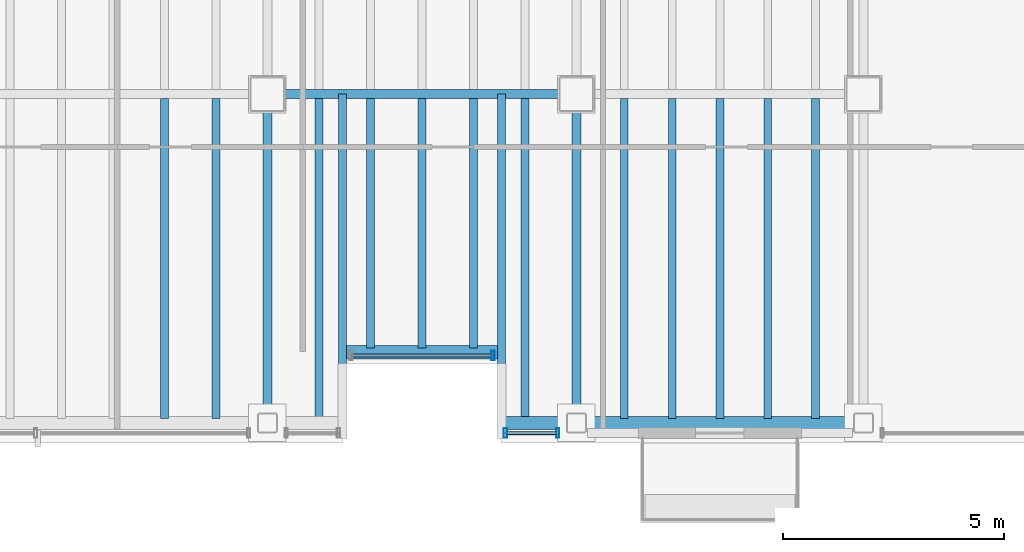
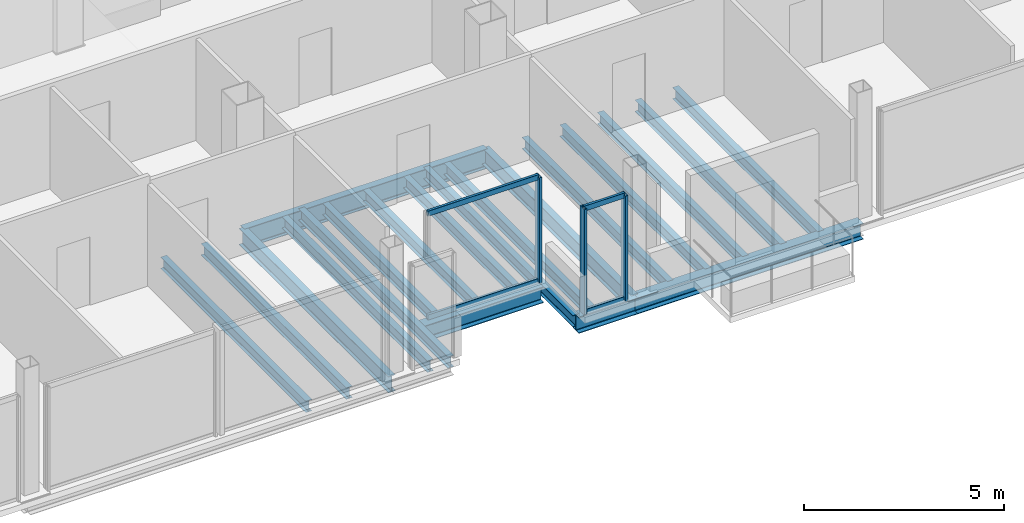
# One storey, part 6 of 17: 20 beams, 7 members, 2 elements without a shape of their own.
"""IFC4 building model written with IfcOpenShell, lengths in metres."""

from ifc_helpers import new_model, si_unit, direction, frame, origin, origin_2d, place, context, subcontext, project, spatial, hollow_rectangle, i_section, extrude, material, material_profile, profile_set, type_object, element, aggregate, save


model = new_model("IFC4")

# Units and contexts
model_context = context("Model", 3, precision=1e-05, world=origin(), true_north=direction((0.0, 1.0)))
body_context = subcontext(model_context, "Body", "Model", "MODEL_VIEW")
ifc_project = project(units=[si_unit("LENGTHUNIT", "METRE"), si_unit("AREAUNIT", "SQUARE_METRE"), si_unit("VOLUMEUNIT", "CUBIC_METRE"), si_unit("PLANEANGLEUNIT", "RADIAN"), si_unit("MASSUNIT", "GRAM", prefix="KILO")], contexts=[model_context])

# Site, building, storey
site_placement = place(None, origin())
site = spatial("IfcSite", under=ifc_project, at=site_placement, CompositionType="ELEMENT")
building_placement = place(site_placement, origin())
building = spatial("IfcBuilding", under=site, at=building_placement, Name="Noeulbin Bourse Tower", CompositionType="ELEMENT")
storey_placement = place(building_placement, frame((0.0, 0.0, 246.199951171875)))
storey = spatial("IfcBuildingStorey", under=building, at=storey_placement, Name="L61", CompositionType="ELEMENT", Elevation=246.199951171875)

# Beams
ifc_material_1 = material(Name="Steel S355", Category="steel")
ifc_material_profile_1 = material_profile(ifc_material_1, i_section(OverallWidth=0.199951171875, OverallDepth=0.5, WebThickness=0.010009765625, FlangeThickness=0.01611328125, FilletRadius=0.02001953125, at=origin_2d()), Name="H-500x200x10x16", Category="LoadBearing")
ifc_profile_set_1 = profile_set([ifc_material_profile_1], Name="Steel S355")
beam_type_1 = type_object("IfcBeamType", Name="BM-GRD-500", PredefinedType="USERDEFINED", material=ifc_profile_set_1)
for number, where, z_axis, x_axis, name in (
    (1, (24.0, 12.550048828125, -0.429931640625), (0.0, 1.0, 0.0), (-1.0, 0.0, 0.0), "Tower Primary Girder NS L61-2.1"),
    (2, (31.0, 12.550048828125, -0.429931640625), (0.0, 1.0, 0.0), (-1.0, 0.0, 0.0), "Tower Primary Girder NS L61-3.1"),
):
    element("IfcBeam", number, at=place(storey_placement, frame(where, z_axis=z_axis, x_axis=x_axis)), inside=storey, type_object=beam_type_1, Name=name, ObjectType="GIRDER", PredefinedType="USERDEFINED", context=body_context, shape_type="SweptSolid", body=[
        extrude(i_section(OverallWidth=0.199951171875, OverallDepth=0.5, WebThickness=0.010009765625, FlangeThickness=0.01611328125, FilletRadius=0.02001953125, at=origin_2d()), origin(), (0.0, 0.0, 1.0), 7.449951171875),
    ])
ifc_material_profile_2 = material_profile(ifc_material_1, i_section(OverallWidth=0.199951171875, OverallDepth=0.60009765625, WebThickness=0.010986328125, FlangeThickness=0.01708984375, FilletRadius=0.02197265625, at=origin_2d()), Name="H-600x200x11x17", Category="LoadBearing")
ifc_profile_set_2 = profile_set([ifc_material_profile_2], Name="Steel S355")
beam_type_2 = type_object("IfcBeamType", Name="BM-GRD-600", PredefinedType="USERDEFINED", material=ifc_profile_set_2)
beam_1_placement = place(storey_placement, frame((24.0, 20.0, -0.47998046875), z_axis=(1.0, 0.0, 0.0), x_axis=(0.0, 1.0, 0.0)))
element("IfcBeam", 3, at=beam_1_placement, inside=storey, type_object=beam_type_2, Name="Tower Primary Girder EW L61-1.3", ObjectType="GIRDER", PredefinedType="USERDEFINED", context=body_context, shape_type="SweptSolid", body=[
    extrude(i_section(OverallWidth=0.199951171875, OverallDepth=0.60009765625, WebThickness=0.010986328125, FlangeThickness=0.01708984375, FilletRadius=0.02197265625, at=origin_2d()), origin(), (0.0, 0.0, 1.0), 7.0),
])
ifc_material_profile_3 = material_profile(ifc_material_1, i_section(OverallWidth=0.175048828125, OverallDepth=0.35009765625, WebThickness=0.007080078125, FlangeThickness=0.010986328125, FilletRadius=0.013916015625, at=origin_2d()), Name="H-350x175x7x11", Category="LoadBearing")
ifc_profile_set_3 = profile_set([ifc_material_profile_3], Name="Steel S355")
beam_type_3 = type_object("IfcBeamType", Name="BM-JST-350", PredefinedType="JOIST", material=ifc_profile_set_3)
for number, where, z_axis, x_axis, name in (
    (4, (25.699951171875, 12.550048828125, -0.35498046875), (0.0, 1.0, 0.0), (-1.0, 0.0, 0.0), "BM-L61-SRT-W"),
    (5, (29.300048828125, 12.550048828125, -0.35498046875), (0.0, 1.0, 0.0), (-1.0, 0.0, 0.0), "BM-L61-SRT-E"),
):
    element("IfcBeam", number, at=place(storey_placement, frame(where, z_axis=z_axis, x_axis=x_axis)), inside=storey, type_object=beam_type_3, Name=name, PredefinedType="JOIST", context=body_context, shape_type="SweptSolid", body=[
        extrude(i_section(OverallWidth=0.175048828125, OverallDepth=0.35009765625, WebThickness=0.007080078125, FlangeThickness=0.010986328125, FilletRadius=0.013916015625, at=origin_2d()), origin(), (0.0, 0.0, 1.0), 7.449951171875),
    ])
for number, where, z_axis, x_axis, name in (
    (6, (21.666748046875, 12.64990234375, -0.35498046875), (0.0, 1.0, 0.0), (-1.0, 0.0, 0.0), "Tower Composite Joist L61-13"),
    (7, (22.833251953125, 12.64990234375, -0.35498046875), (0.0, 1.0, 0.0), (-1.0, 0.0, 0.0), "Tower Composite Joist L61-15"),
    (8, (25.166748046875, 12.64990234375, -0.35498046875), (0.0, 1.0, 0.0), (-1.0, 0.0, 0.0), "Tower Composite Joist L61-17"),
):
    element("IfcBeam", number, at=place(storey_placement, frame(where, z_axis=z_axis, x_axis=x_axis)), inside=storey, type_object=beam_type_3, Name=name, PredefinedType="JOIST", context=body_context, shape_type="SweptSolid", body=[
        extrude(i_section(OverallWidth=0.175048828125, OverallDepth=0.35009765625, WebThickness=0.007080078125, FlangeThickness=0.010986328125, FilletRadius=0.013916015625, at=origin_2d()), origin(), (0.0, 0.0, 1.0), 7.25),
    ])
for number, where, z_axis, x_axis, name in (
    (9, (26.333251953125, 14.25, -0.35498046875), (0.0, 1.0, 0.0), (-1.0, 0.0, 0.0), "Tower Composite Joist L61-19"),
    (10, (27.5, 14.25, -0.35498046875), (0.0, 1.0, 0.0), (-1.0, 0.0, 0.0), "Tower Composite Joist L61-21"),
    (11, (28.666748046875, 14.25, -0.35498046875), (0.0, 1.0, 0.0), (-1.0, 0.0, 0.0), "Tower Composite Joist L61-23"),
):
    element("IfcBeam", number, at=place(storey_placement, frame(where, z_axis=z_axis, x_axis=x_axis)), inside=storey, type_object=beam_type_3, Name=name, PredefinedType="JOIST", context=body_context, shape_type="SweptSolid", body=[
        extrude(i_section(OverallWidth=0.175048828125, OverallDepth=0.35009765625, WebThickness=0.007080078125, FlangeThickness=0.010986328125, FilletRadius=0.013916015625, at=origin_2d()), origin(), (0.0, 0.0, 1.0), 5.64990234375),
    ])
for number, where, z_axis, x_axis, name in (
    (12, (29.833251953125, 12.64990234375, -0.35498046875), (0.0, 1.0, 0.0), (-1.0, 0.0, 0.0), "Tower Composite Joist L61-25"),
    (13, (32.083251953125, 12.64990234375, -0.35498046875), (0.0, 1.0, 0.0), (-1.0, 0.0, 0.0), "Tower Composite Joist L61-27"),
    (14, (33.166748046875, 12.64990234375, -0.35498046875), (0.0, 1.0, 0.0), (-1.0, 0.0, 0.0), "Tower Composite Joist L61-29"),
    (15, (34.25, 12.64990234375, -0.35498046875), (0.0, 1.0, 0.0), (-1.0, 0.0, 0.0), "Tower Composite Joist L61-31"),
    (16, (35.333251953125, 12.64990234375, -0.35498046875), (0.0, 1.0, 0.0), (-1.0, 0.0, 0.0), "Tower Composite Joist L61-33"),
    (17, (36.416748046875, 12.64990234375, -0.35498046875), (0.0, 1.0, 0.0), (-1.0, 0.0, 0.0), "Tower Composite Joist L61-35"),
):
    element("IfcBeam", number, at=place(storey_placement, frame(where, z_axis=z_axis, x_axis=x_axis)), inside=storey, type_object=beam_type_3, Name=name, PredefinedType="JOIST", context=body_context, shape_type="SweptSolid", body=[
        extrude(i_section(OverallWidth=0.175048828125, OverallDepth=0.35009765625, WebThickness=0.007080078125, FlangeThickness=0.010986328125, FilletRadius=0.013916015625, at=origin_2d()), origin(), (0.0, 0.0, 1.0), 7.25),
    ])
ifc_material_profile_4 = material_profile(ifc_material_1, i_section(OverallWidth=0.300048828125, OverallDepth=0.488037109375, WebThickness=0.010986328125, FlangeThickness=0.01806640625, FilletRadius=0.02197265625, at=origin_2d()), Name="H-488x300x11x18", Category="LoadBearing")
ifc_profile_set_4 = profile_set([ifc_material_profile_4], Name="Steel S355")
beam_type_4 = type_object("IfcBeamType", Name="BM-SPN-488", PredefinedType="SPANDREL", material=ifc_profile_set_4)
beam_2_placement = place(storey_placement, frame((25.78759765625, 14.14990234375, -0.424072265625), z_axis=(1.0, 0.0, 0.0), x_axis=(0.0, 1.0, 0.0)))
element("IfcBeam", 18, at=beam_2_placement, inside=storey, type_object=beam_type_4, Name="South Recess Spandrel L61-2B", PredefinedType="SPANDREL", context=body_context, shape_type="SweptSolid", body=[
    extrude(i_section(OverallWidth=0.300048828125, OverallDepth=0.488037109375, WebThickness=0.010986328125, FlangeThickness=0.01806640625, FilletRadius=0.02197265625, at=origin_2d()), origin(), (0.0, 0.0, 1.0), 3.4248046875),
])
beam_3_placement = place(storey_placement, frame((29.300048828125, 12.550048828125, -0.424072265625), z_axis=(1.0, 0.0, 0.0), x_axis=(0.0, 1.0, 0.0)))
element("IfcBeam", 19, at=beam_3_placement, inside=storey, type_object=beam_type_4, Name="South Spandrel L61-2C", PredefinedType="SPANDREL", context=body_context, shape_type="SweptSolid", body=[
    extrude(i_section(OverallWidth=0.300048828125, OverallDepth=0.488037109375, WebThickness=0.010986328125, FlangeThickness=0.01806640625, FilletRadius=0.02197265625, at=origin_2d()), origin(), (0.0, 0.0, 1.0), 1.699951171875),
])
beam_4_placement = place(storey_placement, frame((31.0, 12.550048828125, -0.424072265625), z_axis=(1.0, 0.0, 0.0), x_axis=(0.0, 1.0, 0.0)))
element("IfcBeam", 20, at=beam_4_placement, inside=storey, type_object=beam_type_4, Name="South Spandrel L61-3", PredefinedType="SPANDREL", context=body_context, shape_type="SweptSolid", body=[
    extrude(i_section(OverallWidth=0.300048828125, OverallDepth=0.488037109375, WebThickness=0.010986328125, FlangeThickness=0.01806640625, FilletRadius=0.02197265625, at=origin_2d()), origin(), (0.0, 0.0, 1.0), 6.5),
])

# Curtain wall, member
ifc_material_2 = material(Name="High-Selectivity Low-Iron Glazing", Category="glass")
curtain_wall_type = type_object("IfcCurtainWallType", Name="CW-SYS-4", PredefinedType="NOTDEFINED", material=ifc_material_2)
curtain_wall_1_placement = place(storey_placement, origin())
curtain_wall_1 = element("IfcCurtainWall", 21, at=curtain_wall_1_placement, inside=storey, type_object=curtain_wall_type, Name="Unitised Curtain Wall CW-L61-SREC", PredefinedType="NOTDEFINED")
ifc_material_3 = material(Name="Anodised Aluminium 6063-T6", Category="aluminium")
ifc_material_profile_5 = material_profile(ifc_material_3, hollow_rectangle(XDim=0.074951171875, YDim=0.219970703125, WallThickness=0.0048828125, InnerFilletRadius=0.00244140625, OuterFilletRadius=0.0048828125, at=origin_2d()), Name="ALU-MULL-75x220x5", Category="LoadBearing")
ifc_profile_set_5 = profile_set([ifc_material_profile_5], Name="Anodised Aluminium 6063-T6")
member_type_1 = type_object("IfcMemberType", Name="CW-SYS-4-MUL", PredefinedType="MULLION", material=ifc_profile_set_5)
member_1_placement = place(storey_placement, frame((29.110107421875, 14.080078125, -0.02001953125), z_axis=(0.0, 0.0, 1.0), x_axis=(1.0, 0.0, 0.0)))
member_1 = element("IfcMember", 22, at=member_1_placement, type_object=member_type_1, Name="Curtain Wall Mullion CW-L61-SREC-M01", PredefinedType="MULLION", context=body_context, shape_type="SweptSolid", body=[
    extrude(hollow_rectangle(XDim=0.074951171875, YDim=0.219970703125, WallThickness=0.0048828125, InnerFilletRadius=0.00244140625, OuterFilletRadius=0.0048828125, at=origin_2d()), origin(), (0.0, 0.0, 1.0), 3.219970703125),
])

# Curtain wall, members
curtain_wall_2_placement = place(storey_placement, origin())
curtain_wall_2 = element("IfcCurtainWall", 23, at=curtain_wall_2_placement, inside=storey, type_object=curtain_wall_type, Name="Unitised Curtain Wall CW-L61-S2", PredefinedType="NOTDEFINED")
member_2_placement = place(storey_placement, frame((29.389892578125, 12.320068359375, -0.02001953125), z_axis=(0.0, 0.0, 1.0), x_axis=(1.0, 0.0, 0.0)))
member_2 = element("IfcMember", 24, at=member_2_placement, type_object=member_type_1, Name="Curtain Wall Mullion CW-L61-S2-M00", PredefinedType="MULLION", context=body_context, shape_type="SweptSolid", body=[
    extrude(hollow_rectangle(XDim=0.074951171875, YDim=0.219970703125, WallThickness=0.0048828125, InnerFilletRadius=0.00244140625, OuterFilletRadius=0.0048828125, at=origin_2d()), origin(), (0.0, 0.0, 1.0), 3.219970703125),
])
member_3_placement = place(storey_placement, frame((30.574951171875, 12.320068359375, -0.02001953125), z_axis=(0.0, 0.0, 1.0), x_axis=(1.0, 0.0, 0.0)))
member_3 = element("IfcMember", 25, at=member_3_placement, type_object=member_type_1, Name="Curtain Wall Mullion CW-L61-S2-M01", PredefinedType="MULLION", context=body_context, shape_type="SweptSolid", body=[
    extrude(hollow_rectangle(XDim=0.074951171875, YDim=0.219970703125, WallThickness=0.0048828125, InnerFilletRadius=0.00244140625, OuterFilletRadius=0.0048828125, at=origin_2d()), origin(), (0.0, 0.0, 1.0), 3.219970703125),
])

# Member
ifc_material_profile_6 = material_profile(ifc_material_3, hollow_rectangle(XDim=0.074951171875, YDim=0.159912109375, WallThickness=0.0048828125, InnerFilletRadius=0.00244140625, OuterFilletRadius=0.0048828125, at=origin_2d()), Name="ALU-TRAN-75x160x5", Category="LoadBearing")
ifc_profile_set_6 = profile_set([ifc_material_profile_6], Name="Anodised Aluminium 6063-T6")
member_type_2 = type_object("IfcMemberType", Name="CW-SYS-4-TRN", PredefinedType="USERDEFINED", material=ifc_profile_set_6)
member_4_placement = place(storey_placement, frame((25.89990234375, 14.080078125, 0.010009765625), z_axis=(1.0, 0.0, 0.0), x_axis=(0.0, 1.0, 0.0)))
member_4 = element("IfcMember", 26, at=member_4_placement, type_object=member_type_2, Name="Curtain Wall Transom CW-L61-SREC-T00", ObjectType="TRANSOM", PredefinedType="USERDEFINED", context=body_context, shape_type="SweptSolid", body=[
    extrude(hollow_rectangle(XDim=0.074951171875, YDim=0.159912109375, WallThickness=0.0048828125, InnerFilletRadius=0.00244140625, OuterFilletRadius=0.0048828125, at=origin_2d()), origin(), (0.0, 0.0, 1.0), 3.2001953125),
])

member_5_placement = place(storey_placement, frame((25.89990234375, 14.080078125, 3.170166015625), z_axis=(1.0, 0.0, 0.0), x_axis=(0.0, 1.0, 0.0)))
member_5 = element("IfcMember", 27, at=member_5_placement, type_object=member_type_2, Name="Curtain Wall Transom CW-L61-SREC-T01", ObjectType="TRANSOM", PredefinedType="USERDEFINED", context=body_context, shape_type="SweptSolid", body=[
    extrude(hollow_rectangle(XDim=0.074951171875, YDim=0.159912109375, WallThickness=0.0048828125, InnerFilletRadius=0.00244140625, OuterFilletRadius=0.0048828125, at=origin_2d()), origin(), (0.0, 0.0, 1.0), 3.2001953125),
])

aggregate(curtain_wall_1, [member_1, member_4, member_5])

member_6_placement = place(storey_placement, frame((29.39990234375, 12.320068359375, 0.010009765625), z_axis=(1.0, 0.0, 0.0), x_axis=(0.0, 1.0, 0.0)))
member_6 = element("IfcMember", 28, at=member_6_placement, type_object=member_type_2, Name="Curtain Wall Transom CW-L61-S2-T00", ObjectType="TRANSOM", PredefinedType="USERDEFINED", context=body_context, shape_type="SweptSolid", body=[
    extrude(hollow_rectangle(XDim=0.074951171875, YDim=0.159912109375, WallThickness=0.0048828125, InnerFilletRadius=0.00244140625, OuterFilletRadius=0.0048828125, at=origin_2d()), origin(), (0.0, 0.0, 1.0), 1.1650390625),
])

member_7_placement = place(storey_placement, frame((29.39990234375, 12.320068359375, 3.170166015625), z_axis=(1.0, 0.0, 0.0), x_axis=(0.0, 1.0, 0.0)))
member_7 = element("IfcMember", 29, at=member_7_placement, type_object=member_type_2, Name="Curtain Wall Transom CW-L61-S2-T01", ObjectType="TRANSOM", PredefinedType="USERDEFINED", context=body_context, shape_type="SweptSolid", body=[
    extrude(hollow_rectangle(XDim=0.074951171875, YDim=0.159912109375, WallThickness=0.0048828125, InnerFilletRadius=0.00244140625, OuterFilletRadius=0.0048828125, at=origin_2d()), origin(), (0.0, 0.0, 1.0), 1.1650390625),
])

aggregate(curtain_wall_2, [member_2, member_3, member_6, member_7])

save(model, "model.ifc")
